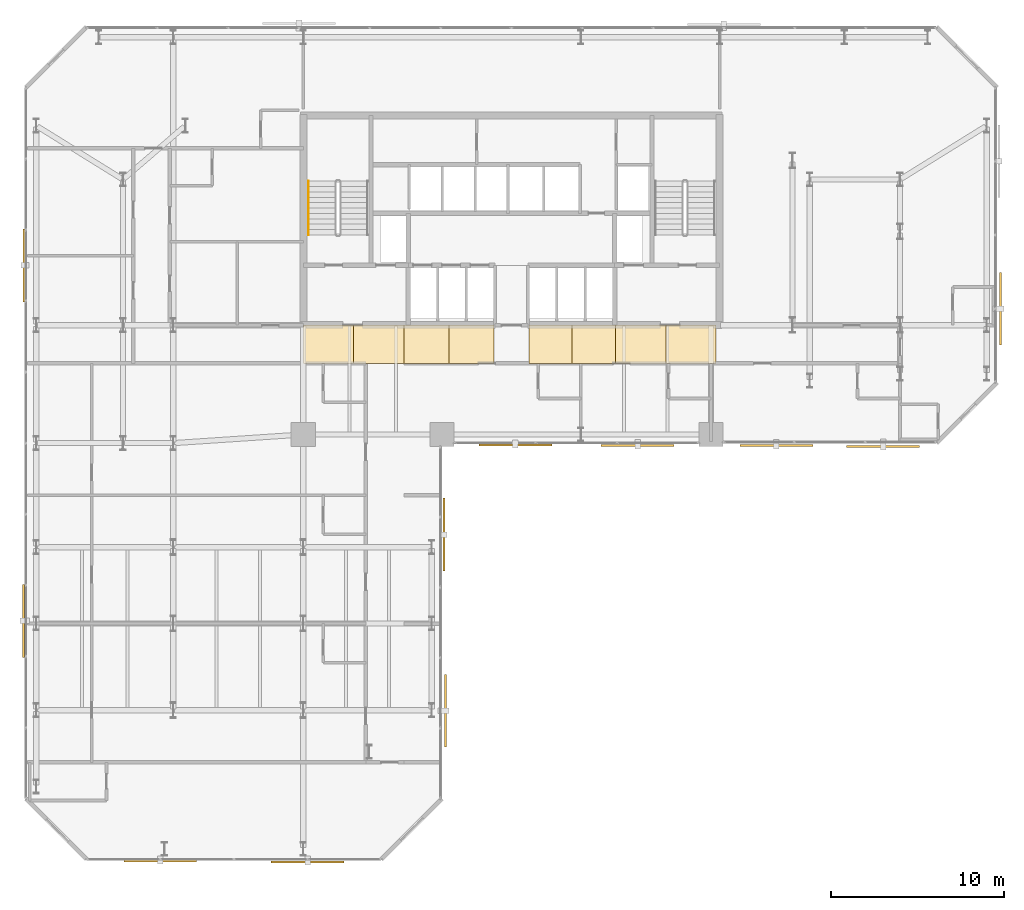
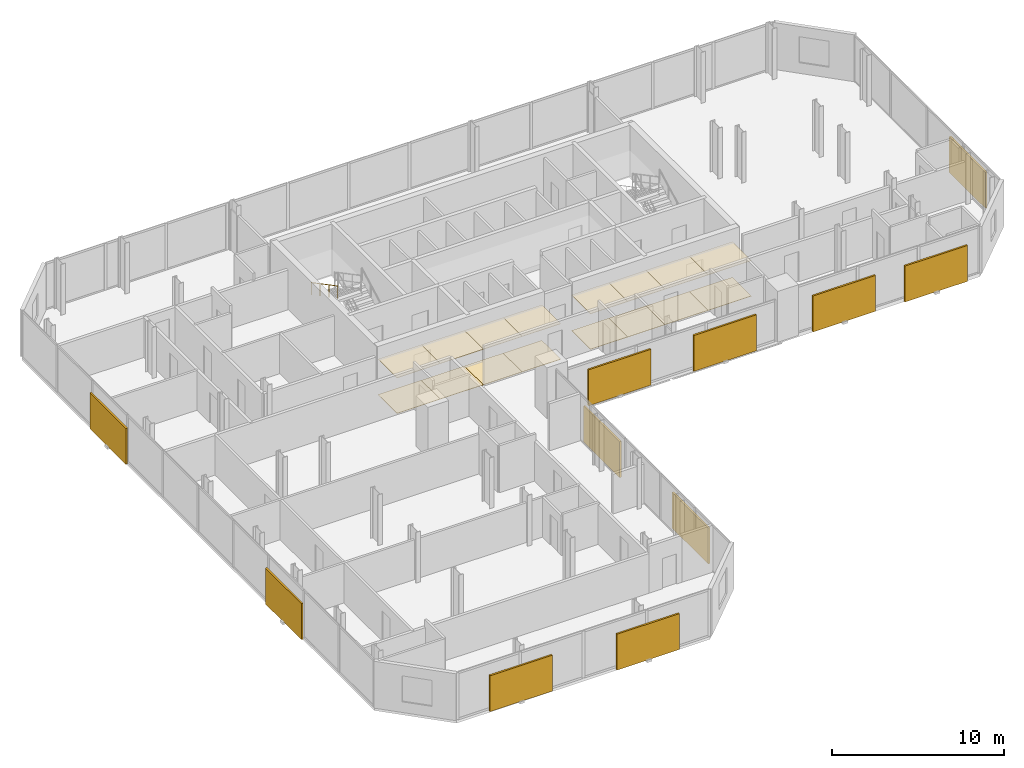
# One storey, part 32 of 33: 16 coverings, 11 shading devices, 1 railing.
"""IFC4 building model written with IfcOpenShell, lengths in metres."""

from ifc_helpers import new_model, si_unit, direction, frame, origin, origin_2d, place, context, subcontext, project, spatial, polyline, rectangle, circle, outline, extrude, material, layer, layer_set, type_object, element, save


model = new_model("IFC4")

# Units and contexts
model_context = context("Model", 3, precision=1e-05, world=origin(), true_north=direction((0.0, 1.0)))
body_context = subcontext(model_context, "Body", "Model", "MODEL_VIEW")
ifc_project = project(units=[si_unit("LENGTHUNIT", "METRE"), si_unit("AREAUNIT", "SQUARE_METRE"), si_unit("VOLUMEUNIT", "CUBIC_METRE"), si_unit("PLANEANGLEUNIT", "RADIAN"), si_unit("MASSUNIT", "GRAM", prefix="KILO")], contexts=[model_context])

# Site, building, storey
site_placement = place(None, origin())
site = spatial("IfcSite", under=ifc_project, at=site_placement, CompositionType="ELEMENT")
building_placement = place(site_placement, origin())
building = spatial("IfcBuilding", under=site, at=building_placement, Name="Catumbela Crestline Tower", CompositionType="ELEMENT")
storey_placement = place(building_placement, frame((0.0, 0.0, 51.0)))
storey = spatial("IfcBuildingStorey", under=building, at=storey_placement, Name="L12", CompositionType="ELEMENT", Elevation=51.0)

# Coverings
ifc_material_1 = material(Name="Mineral-fibre acoustic ceiling")
ifc_layer_1 = layer(ifc_material_1, 0.03, Name="Mineral-fibre acoustic ceiling")
ifc_layer_set_1 = layer_set([ifc_layer_1], Name="Mineral-fibre acoustic ceiling")
covering_type_1 = type_object("IfcCoveringType", Name="CC-AC", PredefinedType="CEILING", material=ifc_layer_set_1)
covering_1_placement = place(storey_placement, frame((0.0, 0.0, 2.52)))
element("IfcCovering", 1, at=covering_1_placement, inside=storey, type_object=covering_type_1, Name="L12 Corridor Acoustic Ceiling Bay 1", PredefinedType="CEILING", context=body_context, shape_type="SweptSolid", body=[
    extrude(outline(polyline([(16.0, 28.6), (18.9, 28.6), (18.9, 30.8), (16.0, 30.8), (16.0, 28.6)])), origin(), (0.0, 0.0, 1.0), 0.03),
])
covering_2_placement = place(storey_placement, frame((0.0, 0.0, 2.52)))
element("IfcCovering", 2, at=covering_2_placement, inside=storey, type_object=covering_type_1, Name="L12 Corridor Acoustic Ceiling Bay 2", PredefinedType="CEILING", context=body_context, shape_type="SweptSolid", body=[
    extrude(outline(polyline([(18.9, 28.6), (21.8, 28.6), (21.8, 30.8), (18.9, 30.8), (18.9, 28.6)])), origin(), (0.0, 0.0, 1.0), 0.03),
])
covering_3_placement = place(storey_placement, frame((0.0, 0.0, 2.52)))
element("IfcCovering", 3, at=covering_3_placement, inside=storey, type_object=covering_type_1, Name="L12 Corridor Acoustic Ceiling Bay 3", PredefinedType="CEILING", context=body_context, shape_type="SweptSolid", body=[
    extrude(outline(polyline([(21.8, 28.6), (24.4, 28.6), (24.4, 30.8), (21.8, 30.8), (21.8, 28.6)])), origin(), (0.0, 0.0, 1.0), 0.03),
])
covering_4_placement = place(storey_placement, frame((0.0, 0.0, 2.52)))
element("IfcCovering", 4, at=covering_4_placement, inside=storey, type_object=covering_type_1, Name="L12 Corridor Acoustic Ceiling Bay 4", PredefinedType="CEILING", context=body_context, shape_type="SweptSolid", body=[
    extrude(outline(polyline([(24.4, 28.6), (27.0, 28.6), (27.0, 30.8), (24.4, 30.8), (24.4, 28.6)])), origin(), (0.0, 0.0, 1.0), 0.03),
])
covering_5_placement = place(storey_placement, frame((0.0, 0.0, 2.52)))
element("IfcCovering", 5, at=covering_5_placement, inside=storey, type_object=covering_type_1, Name="L12 Corridor Acoustic Ceiling Bay 5", PredefinedType="CEILING", context=body_context, shape_type="SweptSolid", body=[
    extrude(outline(polyline([(29.0, 28.6), (31.5, 28.6), (31.5, 30.8), (29.0, 30.8), (29.0, 28.6)])), origin(), (0.0, 0.0, 1.0), 0.03),
])
covering_6_placement = place(storey_placement, frame((0.0, 0.0, 2.52)))
element("IfcCovering", 6, at=covering_6_placement, inside=storey, type_object=covering_type_1, Name="L12 Corridor Acoustic Ceiling Bay 6", PredefinedType="CEILING", context=body_context, shape_type="SweptSolid", body=[
    extrude(outline(polyline([(31.5, 28.6), (34.0, 28.6), (34.0, 30.8), (31.5, 30.8), (31.5, 28.6)])), origin(), (0.0, 0.0, 1.0), 0.03),
])
covering_7_placement = place(storey_placement, frame((0.0, 0.0, 2.52)))
element("IfcCovering", 7, at=covering_7_placement, inside=storey, type_object=covering_type_1, Name="L12 Corridor Acoustic Ceiling Bay 7", PredefinedType="CEILING", context=body_context, shape_type="SweptSolid", body=[
    extrude(outline(polyline([(34.0, 28.6), (36.9, 28.6), (36.9, 30.8), (34.0, 30.8), (34.0, 28.6)])), origin(), (0.0, 0.0, 1.0), 0.03),
])
covering_8_placement = place(storey_placement, frame((0.0, 0.0, 2.52)))
element("IfcCovering", 8, at=covering_8_placement, inside=storey, type_object=covering_type_1, Name="L12 Corridor Acoustic Ceiling Bay 8", PredefinedType="CEILING", context=body_context, shape_type="SweptSolid", body=[
    extrude(outline(polyline([(36.9, 28.6), (39.8, 28.6), (39.8, 30.8), (36.9, 30.8), (36.9, 28.6)])), origin(), (0.0, 0.0, 1.0), 0.03),
])
ifc_material_2 = material(Name="Angolan grey-ochre granite", Category="masonry")
ifc_layer_2 = layer(ifc_material_2, 0.025, Name="Angolan grey-ochre granite")
ifc_layer_set_2 = layer_set([ifc_layer_2], Name="Angolan grey-ochre granite")
covering_type_2 = type_object("IfcCoveringType", Name="CF-GR", PredefinedType="FLOORING", material=ifc_layer_set_2)
covering_9_placement = place(storey_placement, origin())
element("IfcCovering", 9, at=covering_9_placement, inside=storey, type_object=covering_type_2, Name="L12 Corridor Granite Flooring Bay 1", PredefinedType="FLOORING", context=body_context, shape_type="SweptSolid", body=[
    extrude(outline(polyline([(16.0, 28.6), (18.9, 28.6), (18.9, 30.8), (16.0, 30.8), (16.0, 28.6)])), origin(), (0.0, 0.0, 1.0), 0.025),
])
covering_10_placement = place(storey_placement, origin())
element("IfcCovering", 10, at=covering_10_placement, inside=storey, type_object=covering_type_2, Name="L12 Corridor Granite Flooring Bay 2", PredefinedType="FLOORING", context=body_context, shape_type="SweptSolid", body=[
    extrude(outline(polyline([(18.9, 28.6), (21.8, 28.6), (21.8, 30.8), (18.9, 30.8), (18.9, 28.6)])), origin(), (0.0, 0.0, 1.0), 0.025),
])
covering_11_placement = place(storey_placement, origin())
element("IfcCovering", 11, at=covering_11_placement, inside=storey, type_object=covering_type_2, Name="L12 Corridor Granite Flooring Bay 3", PredefinedType="FLOORING", context=body_context, shape_type="SweptSolid", body=[
    extrude(outline(polyline([(21.8, 28.6), (24.4, 28.6), (24.4, 30.8), (21.8, 30.8), (21.8, 28.6)])), origin(), (0.0, 0.0, 1.0), 0.025),
])
covering_12_placement = place(storey_placement, origin())
element("IfcCovering", 12, at=covering_12_placement, inside=storey, type_object=covering_type_2, Name="L12 Corridor Granite Flooring Bay 4", PredefinedType="FLOORING", context=body_context, shape_type="SweptSolid", body=[
    extrude(outline(polyline([(24.4, 28.6), (27.0, 28.6), (27.0, 30.8), (24.4, 30.8), (24.4, 28.6)])), origin(), (0.0, 0.0, 1.0), 0.025),
])
covering_13_placement = place(storey_placement, origin())
element("IfcCovering", 13, at=covering_13_placement, inside=storey, type_object=covering_type_2, Name="L12 Corridor Granite Flooring Bay 5", PredefinedType="FLOORING", context=body_context, shape_type="SweptSolid", body=[
    extrude(outline(polyline([(29.0, 28.6), (31.5, 28.6), (31.5, 30.8), (29.0, 30.8), (29.0, 28.6)])), origin(), (0.0, 0.0, 1.0), 0.025),
])
covering_14_placement = place(storey_placement, origin())
element("IfcCovering", 14, at=covering_14_placement, inside=storey, type_object=covering_type_2, Name="L12 Corridor Granite Flooring Bay 6", PredefinedType="FLOORING", context=body_context, shape_type="SweptSolid", body=[
    extrude(outline(polyline([(31.5, 28.6), (34.0, 28.6), (34.0, 30.8), (31.5, 30.8), (31.5, 28.6)])), origin(), (0.0, 0.0, 1.0), 0.025),
])
covering_15_placement = place(storey_placement, origin())
element("IfcCovering", 15, at=covering_15_placement, inside=storey, type_object=covering_type_2, Name="L12 Corridor Granite Flooring Bay 7", PredefinedType="FLOORING", context=body_context, shape_type="SweptSolid", body=[
    extrude(outline(polyline([(34.0, 28.6), (36.9, 28.6), (36.9, 30.8), (34.0, 30.8), (34.0, 28.6)])), origin(), (0.0, 0.0, 1.0), 0.025),
])
covering_16_placement = place(storey_placement, origin())
element("IfcCovering", 16, at=covering_16_placement, inside=storey, type_object=covering_type_2, Name="L12 Corridor Granite Flooring Bay 8", PredefinedType="FLOORING", context=body_context, shape_type="SweptSolid", body=[
    extrude(outline(polyline([(36.9, 28.6), (39.8, 28.6), (39.8, 30.8), (36.9, 30.8), (36.9, 28.6)])), origin(), (0.0, 0.0, 1.0), 0.025),
])

# Railing
ifc_material_3 = material(Name="Stainless steel EN 1.4401", Category="steel")
railing_type = type_object("IfcRailingType", Name="RH-0900", PredefinedType="HANDRAIL", material=ifc_material_3)
railing_placement = place(storey_placement, frame((16.3, 39.1, 1.9636)))
element("IfcRailing", 17, at=railing_placement, inside=storey, type_object=railing_type, Name="L12 ST-01 stair handrail 2", PredefinedType="HANDRAIL", context=body_context, shape_type="SweptSolid", body=[
    extrude(circle(Radius=0.024, at=origin_2d()), frame((0.0, 0.0, 0.876), z_axis=(0.0, -0.884350731049, 0.466823076222), x_axis=(1.0, 0.0, 0.0)), (0.0, 0.0, 1.0), 3.5054),
    extrude(circle(Radius=0.021, at=origin_2d()), origin(), (0.0, 0.0, 1.0), 0.852),
    extrude(circle(Radius=0.021, at=origin_2d()), frame((0.0, -1.0333, 0.5455)), (0.0, 0.0, 1.0), 0.852),
    extrude(circle(Radius=0.021, at=origin_2d()), frame((0.0, -2.0667, 1.0909)), (0.0, 0.0, 1.0), 0.852),
    extrude(circle(Radius=0.021, at=origin_2d()), frame((0.0, -3.1, 1.6364)), (0.0, 0.0, 1.0), 0.852),
])

# Shading devices
ifc_material_4 = material(Name="Extruded terracotta ceramic", Category="masonry")
shading_device_type_1 = type_object("IfcShadingDeviceType", Name="ST-180", PredefinedType="USERDEFINED", material=ifc_material_4)
for number, where, z_axis, x_axis, name in (
    (18, (7.75, -0.099, -0.1), (0.0, 0.0, 1.0), (1.0, 0.0, 0.0), "L12 Perforated Terracotta Solar Screen 99 (180 mm)"),
    (19, (24.099, 18.725, -0.1), (0.0, 0.0, 1.0), (0.0, 1.0, 0.0), "L12 Perforated Terracotta Solar Screen 102 (180 mm)"),
    (20, (28.225, 23.901, -0.1), (0.0, 0.0, 1.0), (1.0, 0.0, 0.0), "L12 Perforated Terracotta Solar Screen 103 (180 mm)"),
    (21, (-0.099, 34.25, -0.1), (0.0, 0.0, 1.0), (0.0, -1.0, 0.0), "L12 Perforated Terracotta Solar Screen 111 (180 mm)"),
):
    element("IfcShadingDevice", number, at=place(storey_placement, frame(where, z_axis=z_axis, x_axis=x_axis)), inside=storey, type_object=shading_device_type_1, Name=name, ObjectType="SCREEN", PredefinedType="USERDEFINED", context=body_context, shape_type="SweptSolid", body=[
        extrude(rectangle(XDim=4.2, YDim=0.12, at=origin_2d()), origin(), (0.0, 0.0, 1.0), 2.55),
    ])
shading_device_type_2 = type_object("IfcShadingDeviceType", Name="ST-260", PredefinedType="USERDEFINED", material=ifc_material_4)
for number, where, z_axis, x_axis, name in (
    (22, (16.25, -0.143, -0.1), (0.0, 0.0, 1.0), (1.0, 0.0, 0.0), "L12 Perforated Terracotta Solar Screen 100 (260 mm)"),
    (23, (35.275, 23.857, -0.1), (0.0, 0.0, 1.0), (1.0, 0.0, 0.0), "L12 Perforated Terracotta Solar Screen 104 (260 mm)"),
    (24, (43.275, 23.857, -0.1), (0.0, 0.0, 1.0), (1.0, 0.0, 0.0), "L12 Perforated Terracotta Solar Screen 105 (260 mm)"),
    (25, (-0.143, 13.75, -0.1), (0.0, 0.0, 1.0), (0.0, -1.0, 0.0), "L12 Perforated Terracotta Solar Screen 112 (260 mm)"),
):
    element("IfcShadingDevice", number, at=place(storey_placement, frame(where, z_axis=z_axis, x_axis=x_axis)), inside=storey, type_object=shading_device_type_2, Name=name, ObjectType="SCREEN", PredefinedType="USERDEFINED", context=body_context, shape_type="SweptSolid", body=[
        extrude(rectangle(XDim=4.2, YDim=0.12, at=origin_2d()), origin(), (0.0, 0.0, 1.0), 2.55),
    ])
shading_device_type_3 = type_object("IfcShadingDeviceType", Name="ST-340", PredefinedType="USERDEFINED", material=ifc_material_4)
for number, where, z_axis, x_axis, name in (
    (26, (24.187, 8.575, -0.1), (0.0, 0.0, 1.0), (0.0, 1.0, 0.0), "L12 Perforated Terracotta Solar Screen 101 (340 mm)"),
    (27, (49.425, 23.813, -0.1), (0.0, 0.0, 1.0), (1.0, 0.0, 0.0), "L12 Perforated Terracotta Solar Screen 106 (340 mm)"),
    (28, (56.187, 31.75, -0.1), (0.0, 0.0, 1.0), (0.0, 1.0, 0.0), "L12 Perforated Terracotta Solar Screen 107 (340 mm)"),
):
    element("IfcShadingDevice", number, at=place(storey_placement, frame(where, z_axis=z_axis, x_axis=x_axis)), inside=storey, type_object=shading_device_type_3, Name=name, ObjectType="SCREEN", PredefinedType="USERDEFINED", context=body_context, shape_type="SweptSolid", body=[
        extrude(rectangle(XDim=4.2, YDim=0.12, at=origin_2d()), origin(), (0.0, 0.0, 1.0), 2.55),
    ])

save(model, "model.ifc")
